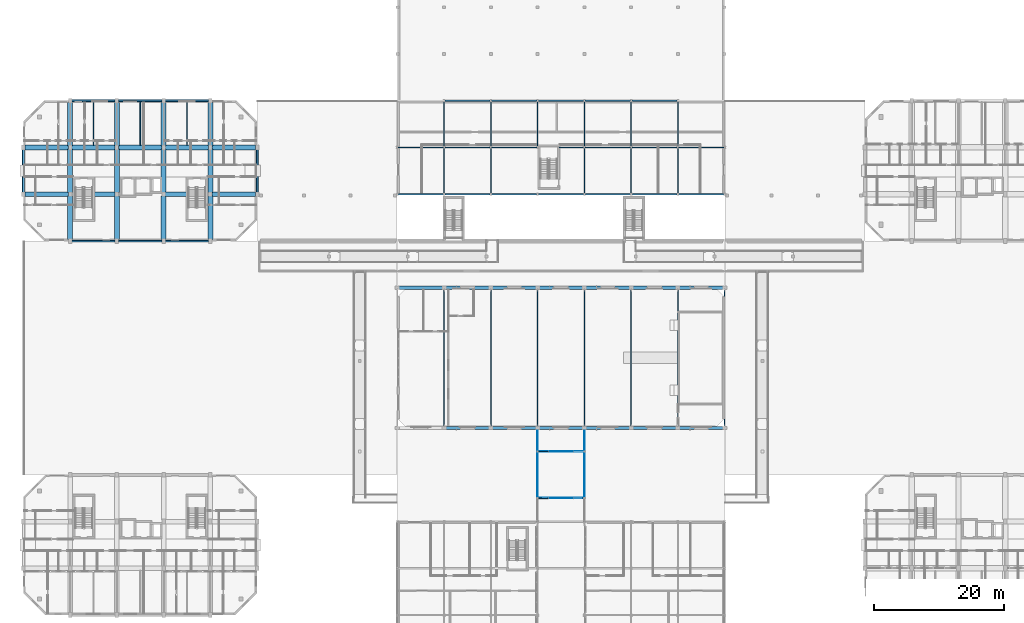
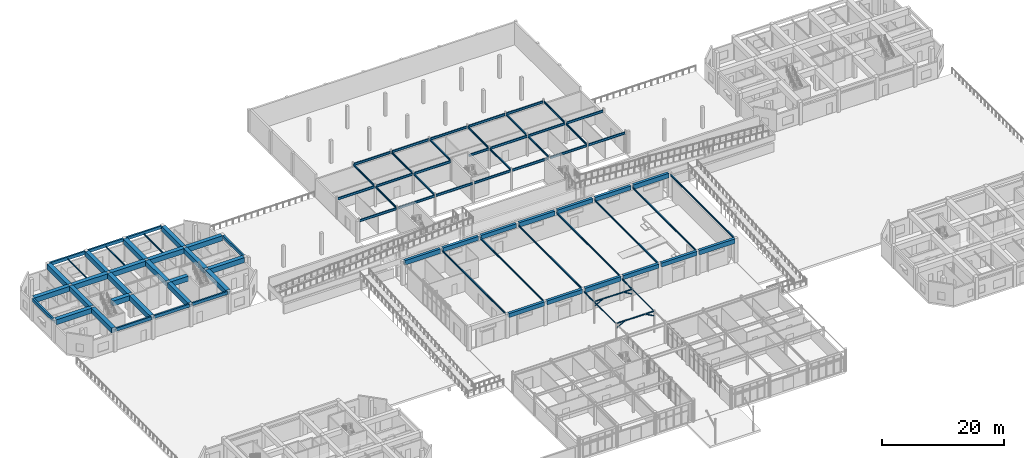
# One storey, part 31 of 85: 88 beams, 4 members.
"""IFC4 building model written with IfcOpenShell, lengths in metres."""

from ifc_helpers import new_model, si_unit, direction, frame, origin, origin_2d, place, context, subcontext, project, spatial, rectangle, hollow_rectangle, hollow_circle, i_section, u_section, extrude, material, material_profile, profile_set, type_object, element, save


model = new_model("IFC4")

# Units and contexts
model_context = context("Model", 3, precision=1e-05, world=origin(), true_north=direction((0.0, 1.0)))
body_context = subcontext(model_context, "Body", "Model", "MODEL_VIEW")
ifc_project = project(units=[si_unit("LENGTHUNIT", "METRE"), si_unit("AREAUNIT", "SQUARE_METRE"), si_unit("VOLUMEUNIT", "CUBIC_METRE"), si_unit("PLANEANGLEUNIT", "RADIAN"), si_unit("MASSUNIT", "GRAM", prefix="KILO")], contexts=[model_context])

# Site, building, storey
site_placement = place(None, origin())
site = spatial("IfcSite", under=ifc_project, at=site_placement, CompositionType="ELEMENT")
building_placement = place(site_placement, origin())
building = spatial("IfcBuilding", under=site, at=building_placement, Name="Ochrevale Crest", CompositionType="ELEMENT")
storey_placement = place(building_placement, origin())
storey = spatial("IfcBuildingStorey", under=building, at=storey_placement, Name="L00", CompositionType="ELEMENT", Elevation=0.0)

# Beams
ifc_material_1 = material(Name="Steel S355", Category="steel")
ifc_material_profile_1 = material_profile(ifc_material_1, u_section(Depth=0.14990234375, FlangeWidth=0.074951171875, WebThickness=0.006103515625, FlangeThickness=0.009521484375, FilletRadius=0.010009765625, at=origin_2d()), Name="150PFC")
ifc_profile_set_1 = profile_set([ifc_material_profile_1], Name="Steel S355")
beam_type_1 = type_object("IfcBeamType", Name="BM-PFC150", PredefinedType="LINTEL", material=ifc_profile_set_1)
for number, where, z_axis, x_axis, name in (
    (1, (79.280029296875, 32.39990234375, 4.260009765625), (1.0, 0.0, 0.0), (0.0, 1.0, 0.0), "Covered public passage cross channel"),
    (2, (79.280029296875, 39.60009765625, 4.260009765625), (1.0, 0.0, 0.0), (0.0, 1.0, 0.0), "Covered public passage cross channel"),
):
    element("IfcBeam", number, at=place(storey_placement, frame(where, z_axis=z_axis, x_axis=x_axis)), inside=storey, type_object=beam_type_1, Name=name, PredefinedType="LINTEL", context=body_context, shape_type="SweptSolid", body=[
        extrude(u_section(Depth=0.14990234375, FlangeWidth=0.074951171875, WebThickness=0.006103515625, FlangeThickness=0.009521484375, FilletRadius=0.010009765625, at=origin_2d()), origin(), (0.0, 0.0, 1.0), 7.0400390625),
    ])
ifc_material_profile_2 = material_profile(ifc_material_1, u_section(Depth=0.22998046875, FlangeWidth=0.074951171875, WebThickness=0.006591796875, FlangeThickness=0.011962890625, FilletRadius=0.011962890625, at=origin_2d()), Name="230PFC")
ifc_profile_set_2 = profile_set([ifc_material_profile_2], Name="Steel S355")
beam_type_2 = type_object("IfcBeamType", Name="BM-PFC230", PredefinedType="SPANDREL", material=ifc_profile_set_2)
beam_1_placement = place(storey_placement, frame((79.199951171875, 32.47998046875, 4.219970703125), z_axis=(0.0, 1.0, 0.0), x_axis=(-1.0, 0.0, 0.0)))
element("IfcBeam", 3, at=beam_1_placement, inside=storey, type_object=beam_type_2, Name="Covered public passage longitudinal channel", PredefinedType="SPANDREL", context=body_context, shape_type="SweptSolid", body=[
    extrude(u_section(Depth=0.22998046875, FlangeWidth=0.074951171875, WebThickness=0.006591796875, FlangeThickness=0.011962890625, FilletRadius=0.011962890625, at=origin_2d()), origin(), (0.0, 0.0, 1.0), 7.0400390625),
])
beam_2_placement = place(storey_placement, frame((79.199951171875, 39.679931640625, 4.219970703125), z_axis=(0.0, 1.0, 0.0), x_axis=(-1.0, 0.0, 0.0)))
element("IfcBeam", 4, at=beam_2_placement, inside=storey, type_object=beam_type_2, Name="Covered public passage longitudinal channel", PredefinedType="SPANDREL", context=body_context, shape_type="SweptSolid", body=[
    extrude(u_section(Depth=0.22998046875, FlangeWidth=0.074951171875, WebThickness=0.006591796875, FlangeThickness=0.011962890625, FilletRadius=0.011962890625, at=origin_2d()), origin(), (0.0, 0.0, 1.0), 3.440185546875),
])
beam_3_placement = place(storey_placement, frame((86.39990234375, 32.47998046875, 4.219970703125), z_axis=(0.0, 1.0, 0.0), x_axis=(-1.0, 0.0, 0.0)))
element("IfcBeam", 5, at=beam_3_placement, inside=storey, type_object=beam_type_2, Name="Covered public passage longitudinal channel", PredefinedType="SPANDREL", context=body_context, shape_type="SweptSolid", body=[
    extrude(u_section(Depth=0.22998046875, FlangeWidth=0.074951171875, WebThickness=0.006591796875, FlangeThickness=0.011962890625, FilletRadius=0.011962890625, at=origin_2d()), origin(), (0.0, 0.0, 1.0), 7.0400390625),
])
beam_4_placement = place(storey_placement, frame((86.39990234375, 39.679931640625, 4.219970703125), z_axis=(0.0, 1.0, 0.0), x_axis=(-1.0, 0.0, 0.0)))
element("IfcBeam", 6, at=beam_4_placement, inside=storey, type_object=beam_type_2, Name="Covered public passage longitudinal channel", PredefinedType="SPANDREL", context=body_context, shape_type="SweptSolid", body=[
    extrude(u_section(Depth=0.22998046875, FlangeWidth=0.074951171875, WebThickness=0.006591796875, FlangeThickness=0.011962890625, FilletRadius=0.011962890625, at=origin_2d()), origin(), (0.0, 0.0, 1.0), 3.440185546875),
])
ifc_material_2 = material(Name="Concrete C50/60", Category="concrete")
ifc_material_profile_3 = material_profile(ifc_material_2, rectangle(XDim=0.5, YDim=0.800048828125, at=origin_2d()), Name="RC 500x800")
ifc_profile_set_3 = profile_set([ifc_material_profile_3], Name="Concrete C50/60")
beam_type_3 = type_object("IfcBeamType", Name="BM-RB500x800", PredefinedType="BEAM", material=ifc_profile_set_3)
for number, where, z_axis, x_axis, name in (
    (7, (65.044921875, 43.199951171875, 4.39990234375), (1.0, 0.0, 0.0), (0.0, 1.0, 0.0), "Vault springing ring beam RB-2-S"),
    (8, (65.044921875, 64.800048828125, 4.39990234375), (1.0, 0.0, 0.0), (0.0, 1.0, 0.0), "Vault springing ring beam RB-2-N"),
    (9, (72.2451171875, 43.199951171875, 4.39990234375), (1.0, 0.0, 0.0), (0.0, 1.0, 0.0), "Vault springing ring beam RB-3-S"),
    (10, (72.2451171875, 64.800048828125, 4.39990234375), (1.0, 0.0, 0.0), (0.0, 1.0, 0.0), "Vault springing ring beam RB-3-N"),
    (11, (86.64501953125, 43.199951171875, 4.39990234375), (1.0, 0.0, 0.0), (0.0, 1.0, 0.0), "Vault springing ring beam RB-5-S"),
    (12, (86.64501953125, 64.800048828125, 4.39990234375), (1.0, 0.0, 0.0), (0.0, 1.0, 0.0), "Vault springing ring beam RB-5-N"),
    (13, (93.844970703125, 43.199951171875, 4.39990234375), (1.0, 0.0, 0.0), (0.0, 1.0, 0.0), "Vault springing ring beam RB-6-S"),
    (14, (93.844970703125, 64.800048828125, 4.39990234375), (1.0, 0.0, 0.0), (0.0, 1.0, 0.0), "Vault springing ring beam RB-6-N"),
):
    element("IfcBeam", number, at=place(storey_placement, frame(where, z_axis=z_axis, x_axis=x_axis)), inside=storey, type_object=beam_type_3, Name=name, PredefinedType="BEAM", context=body_context, shape_type="SweptSolid", body=[
        extrude(rectangle(XDim=0.5, YDim=0.800048828125, at=origin_2d()), origin(), (0.0, 0.0, 1.0), 6.7099609375),
    ])
ifc_material_profile_4 = material_profile(ifc_material_2, rectangle(XDim=0.5, YDim=0.89990234375, at=origin_2d()), Name="RC 500x900")
ifc_profile_set_4 = profile_set([ifc_material_profile_4], Name="Concrete C50/60")
beam_type_4 = type_object("IfcBeamType", Name="BM-RB500x900", PredefinedType="BEAM", material=ifc_profile_set_4)
for number, where, z_axis, x_axis, name in (
    (15, (57.844970703125, 64.800048828125, 4.35009765625), (1.0, 0.0, 0.0), (0.0, 1.0, 0.0), "Vault springing ring beam RB-1-N"),
    (16, (79.445068359375, 43.199951171875, 4.35009765625), (1.0, 0.0, 0.0), (0.0, 1.0, 0.0), "Vault springing ring beam RB-4-S"),
    (17, (79.445068359375, 64.800048828125, 4.35009765625), (1.0, 0.0, 0.0), (0.0, 1.0, 0.0), "Vault springing ring beam RB-4-N"),
    (18, (101.044921875, 43.199951171875, 4.35009765625), (1.0, 0.0, 0.0), (0.0, 1.0, 0.0), "Vault springing ring beam RB-7-S"),
    (19, (101.044921875, 64.800048828125, 4.35009765625), (1.0, 0.0, 0.0), (0.0, 1.0, 0.0), "Vault springing ring beam RB-7-N"),
):
    element("IfcBeam", number, at=place(storey_placement, frame(where, z_axis=z_axis, x_axis=x_axis)), inside=storey, type_object=beam_type_4, Name=name, PredefinedType="BEAM", context=body_context, shape_type="SweptSolid", body=[
        extrude(rectangle(XDim=0.5, YDim=0.89990234375, at=origin_2d()), origin(), (0.0, 0.0, 1.0), 6.7099609375),
    ])
ifc_material_3 = material(Name="Precast concrete C40/50", Category="concrete")
ifc_material_profile_5 = material_profile(ifc_material_3, rectangle(XDim=0.300048828125, YDim=0.580078125, at=origin_2d()), Name="PC 300x580")
ifc_profile_set_5 = profile_set([ifc_material_profile_5], Name="Precast concrete C40/50")
beam_type_5 = type_object("IfcBeamType", Name="BM-SP300x580", PredefinedType="SPANDREL", material=ifc_profile_set_5)
for number, where, z_axis, x_axis, name in (
    (20, (21.85009765625, 72.0, 4.2099609375), (1.0, 0.0, 0.0), (0.0, 1.0, 0.0), "Block B L00 E-W beam Y=72.0"),
    (21, (21.85009765625, 93.60009765625, 4.2099609375), (1.0, 0.0, 0.0), (0.0, 1.0, 0.0), "Block B L00 E-W beam Y=93.6"),
):
    element("IfcBeam", number, at=place(storey_placement, frame(where, z_axis=z_axis, x_axis=x_axis)), inside=storey, type_object=beam_type_5, Name=name, PredefinedType="SPANDREL", context=body_context, shape_type="SweptSolid", body=[
        extrude(rectangle(XDim=0.300048828125, YDim=0.580078125, at=origin_2d()), origin(), (0.0, 0.0, 1.0), 6.699951171875),
    ])
ifc_material_profile_6 = material_profile(ifc_material_3, rectangle(XDim=0.300048828125, YDim=0.60009765625, at=origin_2d()), Name="PC 300x600")
ifc_profile_set_6 = profile_set([ifc_material_profile_6], Name="Precast concrete C40/50")
beam_type_6 = type_object("IfcBeamType", Name="BM-SP300x600", PredefinedType="SPANDREL", material=ifc_profile_set_6)
for number, where, z_axis, x_axis, name in (
    (22, (14.64990234375, 72.0, 4.199951171875), (1.0, 0.0, 0.0), (0.0, 1.0, 0.0), "Block B L00 E-W beam Y=72.0"),
    (23, (14.64990234375, 93.60009765625, 4.199951171875), (1.0, 0.0, 0.0), (0.0, 1.0, 0.0), "Block B L00 E-W beam Y=93.6"),
):
    element("IfcBeam", number, at=place(storey_placement, frame(where, z_axis=z_axis, x_axis=x_axis)), inside=storey, type_object=beam_type_6, Name=name, PredefinedType="SPANDREL", context=body_context, shape_type="SweptSolid", body=[
        extrude(rectangle(XDim=0.300048828125, YDim=0.60009765625, at=origin_2d()), origin(), (0.0, 0.0, 1.0), 6.7001953125),
    ])
for number, where, z_axis, x_axis, name in (
    (24, (0.0, 79.455078125, 4.199951171875), (0.0, 1.0, 0.0), (-1.0, 0.0, 0.0), "Block B L00 N-S beam X=0.0"),
    (25, (36.0, 79.455078125, 4.199951171875), (0.0, 1.0, 0.0), (-1.0, 0.0, 0.0), "Block B L00 N-S beam X=36.0"),
):
    element("IfcBeam", number, at=place(storey_placement, frame(where, z_axis=z_axis, x_axis=x_axis)), inside=storey, type_object=beam_type_6, Name=name, PredefinedType="SPANDREL", context=body_context, shape_type="SweptSolid", body=[
        extrude(rectangle(XDim=0.300048828125, YDim=0.60009765625, at=origin_2d()), origin(), (0.0, 0.0, 1.0), 6.68994140625),
    ])
ifc_material_profile_7 = material_profile(ifc_material_3, rectangle(XDim=0.300048828125, YDim=0.64990234375, at=origin_2d()), Name="PC 300x650")
ifc_profile_set_7 = profile_set([ifc_material_profile_7], Name="Precast concrete C40/50")
beam_type_7 = type_object("IfcBeamType", Name="BM-SP300x650", PredefinedType="SPANDREL", material=ifc_profile_set_7)
for number, where, z_axis, x_axis, name in (
    (26, (7.449951171875, 72.0, 4.175048828125), (1.0, 0.0, 0.0), (0.0, 1.0, 0.0), "Block B L00 E-W beam Y=72.0"),
    (27, (7.449951171875, 93.60009765625, 4.175048828125), (1.0, 0.0, 0.0), (0.0, 1.0, 0.0), "Block B L00 E-W beam Y=93.6"),
):
    element("IfcBeam", number, at=place(storey_placement, frame(where, z_axis=z_axis, x_axis=x_axis)), inside=storey, type_object=beam_type_7, Name=name, PredefinedType="SPANDREL", context=body_context, shape_type="SweptSolid", body=[
        extrude(rectangle(XDim=0.300048828125, YDim=0.64990234375, at=origin_2d()), origin(), (0.0, 0.0, 1.0), 6.699951171875),
    ])
ifc_material_profile_8 = material_profile(ifc_material_2, rectangle(XDim=0.75, YDim=1.0, at=origin_2d()), Name="RC 750x1000")
ifc_profile_set_8 = profile_set([ifc_material_profile_8], Name="Concrete C50/60")
beam_type_8 = type_object("IfcBeamType", Name="BM-TG750x1000", PredefinedType="USERDEFINED", material=ifc_profile_set_8)
beam_5_placement = place(storey_placement, frame((0.25, 79.199951171875, 4.0), z_axis=(1.0, 0.0, 0.0), x_axis=(0.0, 1.0, 0.0)))
element("IfcBeam", 28, at=beam_5_placement, inside=storey, type_object=beam_type_8, Name="Block B L00 E-W beam Y=79.2", ObjectType="GIRDER", PredefinedType="USERDEFINED", context=body_context, shape_type="SweptSolid", body=[
    extrude(rectangle(XDim=0.75, YDim=1.0, at=origin_2d()), origin(), (0.0, 0.0, 1.0), 6.699951171875),
])
beam_6_placement = place(storey_placement, frame((10.889892578125, 79.199951171875, 4.0), z_axis=(1.0, 0.0, 0.0), x_axis=(0.0, 1.0, 0.0)))
element("IfcBeam", 29, at=beam_6_placement, inside=storey, type_object=beam_type_8, Name="Block B L00 E-W beam Y=79.2", ObjectType="GIRDER", PredefinedType="USERDEFINED", context=body_context, shape_type="SweptSolid", body=[
    extrude(rectangle(XDim=0.75, YDim=1.0, at=origin_2d()), origin(), (0.0, 0.0, 1.0), 3.260009765625),
])
beam_7_placement = place(storey_placement, frame((21.85009765625, 79.199951171875, 4.0), z_axis=(1.0, 0.0, 0.0), x_axis=(0.0, 1.0, 0.0)))
element("IfcBeam", 30, at=beam_7_placement, inside=storey, type_object=beam_type_8, Name="Block B L00 E-W beam Y=79.2", ObjectType="GIRDER", PredefinedType="USERDEFINED", context=body_context, shape_type="SweptSolid", body=[
    extrude(rectangle(XDim=0.75, YDim=1.0, at=origin_2d()), origin(), (0.0, 0.0, 1.0), 3.309814453125),
])
for number, where, z_axis, x_axis, name in (
    (31, (29.050048828125, 79.199951171875, 4.0), (1.0, 0.0, 0.0), (0.0, 1.0, 0.0), "Block B L00 E-W beam Y=79.2"),
    (32, (0.25, 86.39990234375, 4.0), (1.0, 0.0, 0.0), (0.0, 1.0, 0.0), "Block B L00 E-W beam Y=86.4"),
    (33, (7.449951171875, 86.39990234375, 4.0), (1.0, 0.0, 0.0), (0.0, 1.0, 0.0), "Block B L00 E-W beam Y=86.4"),
):
    element("IfcBeam", number, at=place(storey_placement, frame(where, z_axis=z_axis, x_axis=x_axis)), inside=storey, type_object=beam_type_8, Name=name, ObjectType="GIRDER", PredefinedType="USERDEFINED", context=body_context, shape_type="SweptSolid", body=[
        extrude(rectangle(XDim=0.75, YDim=1.0, at=origin_2d()), origin(), (0.0, 0.0, 1.0), 6.699951171875),
    ])
beam_8_placement = place(storey_placement, frame((14.64990234375, 86.39990234375, 4.0), z_axis=(1.0, 0.0, 0.0), x_axis=(0.0, 1.0, 0.0)))
element("IfcBeam", 34, at=beam_8_placement, inside=storey, type_object=beam_type_8, Name="Block B L00 E-W beam Y=86.4", ObjectType="GIRDER", PredefinedType="USERDEFINED", context=body_context, shape_type="SweptSolid", body=[
    extrude(rectangle(XDim=0.75, YDim=1.0, at=origin_2d()), origin(), (0.0, 0.0, 1.0), 6.7001953125),
])
for number, where, z_axis, x_axis, name in (
    (35, (21.85009765625, 86.39990234375, 4.0), (1.0, 0.0, 0.0), (0.0, 1.0, 0.0), "Block B L00 E-W beam Y=86.4"),
    (36, (29.050048828125, 86.39990234375, 4.0), (1.0, 0.0, 0.0), (0.0, 1.0, 0.0), "Block B L00 E-W beam Y=86.4"),
):
    element("IfcBeam", number, at=place(storey_placement, frame(where, z_axis=z_axis, x_axis=x_axis)), inside=storey, type_object=beam_type_8, Name=name, ObjectType="GIRDER", PredefinedType="USERDEFINED", context=body_context, shape_type="SweptSolid", body=[
        extrude(rectangle(XDim=0.75, YDim=1.0, at=origin_2d()), origin(), (0.0, 0.0, 1.0), 6.699951171875),
    ])
beam_9_placement = place(storey_placement, frame((7.199951171875, 72.2548828125, 4.0), z_axis=(0.0, 1.0, 0.0), x_axis=(-1.0, 0.0, 0.0)))
element("IfcBeam", 37, at=beam_9_placement, inside=storey, type_object=beam_type_8, Name="Block B L00 N-S beam X=7.2", ObjectType="GIRDER", PredefinedType="USERDEFINED", context=body_context, shape_type="SweptSolid", body=[
    extrude(rectangle(XDim=0.75, YDim=1.0, at=origin_2d()), origin(), (0.0, 0.0, 1.0), 6.690185546875),
])
for number, where, z_axis, x_axis, name in (
    (38, (7.199951171875, 79.455078125, 4.0), (0.0, 1.0, 0.0), (-1.0, 0.0, 0.0), "Block B L00 N-S beam X=7.2"),
    (39, (7.199951171875, 86.655029296875, 4.0), (0.0, 1.0, 0.0), (-1.0, 0.0, 0.0), "Block B L00 N-S beam X=7.2"),
):
    element("IfcBeam", number, at=place(storey_placement, frame(where, z_axis=z_axis, x_axis=x_axis)), inside=storey, type_object=beam_type_8, Name=name, ObjectType="GIRDER", PredefinedType="USERDEFINED", context=body_context, shape_type="SweptSolid", body=[
        extrude(rectangle(XDim=0.75, YDim=1.0, at=origin_2d()), origin(), (0.0, 0.0, 1.0), 6.68994140625),
    ])
beam_10_placement = place(storey_placement, frame((14.39990234375, 72.2548828125, 4.0), z_axis=(0.0, 1.0, 0.0), x_axis=(-1.0, 0.0, 0.0)))
element("IfcBeam", 40, at=beam_10_placement, inside=storey, type_object=beam_type_8, Name="Block B L00 N-S beam X=14.4", ObjectType="GIRDER", PredefinedType="USERDEFINED", context=body_context, shape_type="SweptSolid", body=[
    extrude(rectangle(XDim=0.75, YDim=1.0, at=origin_2d()), origin(), (0.0, 0.0, 1.0), 6.690185546875),
])
for number, where, z_axis, x_axis, name in (
    (41, (14.39990234375, 79.455078125, 4.0), (0.0, 1.0, 0.0), (-1.0, 0.0, 0.0), "Block B L00 N-S beam X=14.4"),
    (42, (14.39990234375, 86.655029296875, 4.0), (0.0, 1.0, 0.0), (-1.0, 0.0, 0.0), "Block B L00 N-S beam X=14.4"),
):
    element("IfcBeam", number, at=place(storey_placement, frame(where, z_axis=z_axis, x_axis=x_axis)), inside=storey, type_object=beam_type_8, Name=name, ObjectType="GIRDER", PredefinedType="USERDEFINED", context=body_context, shape_type="SweptSolid", body=[
        extrude(rectangle(XDim=0.75, YDim=1.0, at=origin_2d()), origin(), (0.0, 0.0, 1.0), 6.68994140625),
    ])
beam_11_placement = place(storey_placement, frame((21.60009765625, 72.2548828125, 4.0), z_axis=(0.0, 1.0, 0.0), x_axis=(-1.0, 0.0, 0.0)))
element("IfcBeam", 43, at=beam_11_placement, inside=storey, type_object=beam_type_8, Name="Block B L00 N-S beam X=21.6", ObjectType="GIRDER", PredefinedType="USERDEFINED", context=body_context, shape_type="SweptSolid", body=[
    extrude(rectangle(XDim=0.75, YDim=1.0, at=origin_2d()), origin(), (0.0, 0.0, 1.0), 6.690185546875),
])
for number, where, z_axis, x_axis, name in (
    (44, (21.60009765625, 79.455078125, 4.0), (0.0, 1.0, 0.0), (-1.0, 0.0, 0.0), "Block B L00 N-S beam X=21.6"),
    (45, (21.60009765625, 86.655029296875, 4.0), (0.0, 1.0, 0.0), (-1.0, 0.0, 0.0), "Block B L00 N-S beam X=21.6"),
):
    element("IfcBeam", number, at=place(storey_placement, frame(where, z_axis=z_axis, x_axis=x_axis)), inside=storey, type_object=beam_type_8, Name=name, ObjectType="GIRDER", PredefinedType="USERDEFINED", context=body_context, shape_type="SweptSolid", body=[
        extrude(rectangle(XDim=0.75, YDim=1.0, at=origin_2d()), origin(), (0.0, 0.0, 1.0), 6.68994140625),
    ])
beam_12_placement = place(storey_placement, frame((28.800048828125, 72.2548828125, 4.0), z_axis=(0.0, 1.0, 0.0), x_axis=(-1.0, 0.0, 0.0)))
element("IfcBeam", 46, at=beam_12_placement, inside=storey, type_object=beam_type_8, Name="Block B L00 N-S beam X=28.8", ObjectType="GIRDER", PredefinedType="USERDEFINED", context=body_context, shape_type="SweptSolid", body=[
    extrude(rectangle(XDim=0.75, YDim=1.0, at=origin_2d()), origin(), (0.0, 0.0, 1.0), 6.690185546875),
])
for number, where, z_axis, x_axis, name in (
    (47, (28.800048828125, 79.455078125, 4.0), (0.0, 1.0, 0.0), (-1.0, 0.0, 0.0), "Block B L00 N-S beam X=28.8"),
    (48, (28.800048828125, 86.655029296875, 4.0), (0.0, 1.0, 0.0), (-1.0, 0.0, 0.0), "Block B L00 N-S beam X=28.8"),
):
    element("IfcBeam", number, at=place(storey_placement, frame(where, z_axis=z_axis, x_axis=x_axis)), inside=storey, type_object=beam_type_8, Name=name, ObjectType="GIRDER", PredefinedType="USERDEFINED", context=body_context, shape_type="SweptSolid", body=[
        extrude(rectangle(XDim=0.75, YDim=1.0, at=origin_2d()), origin(), (0.0, 0.0, 1.0), 6.68994140625),
    ])
ifc_material_profile_9 = material_profile(ifc_material_1, i_section(OverallWidth=0.134033203125, OverallDepth=0.20703125, WebThickness=0.00634765625, FlangeThickness=0.009521484375, FilletRadius=0.0087890625, at=origin_2d()), Name="200UB29.8")
ifc_profile_set_9 = profile_set([ifc_material_profile_9], Name="Steel S355")
beam_type_9 = type_object("IfcBeamType", Name="BM-UB200B", PredefinedType="JOIST", material=ifc_profile_set_9)
beam_13_placement = place(storey_placement, frame((10.800048828125, 86.762939453125, 4.071533203125), z_axis=(0.0, 1.0, 0.0), x_axis=(-1.0, 0.0, 0.0)))
element("IfcBeam", 49, at=beam_13_placement, inside=storey, type_object=beam_type_9, Name="Block B L00 composite plank trimmer beam 2", PredefinedType="JOIST", context=body_context, shape_type="SweptSolid", body=[
    extrude(i_section(OverallWidth=0.134033203125, OverallDepth=0.20703125, WebThickness=0.00634765625, FlangeThickness=0.009521484375, FilletRadius=0.0087890625, at=origin_2d()), origin(), (0.0, 0.0, 1.0), 6.698974609375),
])
ifc_material_profile_10 = material_profile(ifc_material_1, i_section(OverallWidth=0.14599609375, OverallDepth=0.251708984375, WebThickness=0.006103515625, FlangeThickness=0.008544921875, FilletRadius=0.0087890625, at=origin_2d()), Name="250UB31.4")
ifc_profile_set_10 = profile_set([ifc_material_profile_10], Name="Steel S355")
beam_type_10 = type_object("IfcBeamType", Name="BM-UB250A", PredefinedType="JOIST", material=ifc_profile_set_10)
beam_14_placement = place(storey_placement, frame((18.0, 86.762939453125, 4.04931640625), z_axis=(0.0, 1.0, 0.0), x_axis=(-1.0, 0.0, 0.0)))
element("IfcBeam", 50, at=beam_14_placement, inside=storey, type_object=beam_type_10, Name="Block B L00 composite plank trimmer beam 3", PredefinedType="JOIST", context=body_context, shape_type="SweptSolid", body=[
    extrude(i_section(OverallWidth=0.14599609375, OverallDepth=0.251708984375, WebThickness=0.006103515625, FlangeThickness=0.008544921875, FilletRadius=0.0087890625, at=origin_2d()), origin(), (0.0, 0.0, 1.0), 6.698974609375),
])
ifc_material_profile_11 = material_profile(ifc_material_1, i_section(OverallWidth=0.146484375, OverallDepth=0.256103515625, WebThickness=0.00634765625, FlangeThickness=0.010986328125, FilletRadius=0.0087890625, at=origin_2d()), Name="250UB37.3")
ifc_profile_set_11 = profile_set([ifc_material_profile_11], Name="Steel S355")
beam_type_11 = type_object("IfcBeamType", Name="BM-UB250B", PredefinedType="JOIST", material=ifc_profile_set_11)
beam_15_placement = place(storey_placement, frame((25.199951171875, 86.762939453125, 4.046875), z_axis=(0.0, 1.0, 0.0), x_axis=(-1.0, 0.0, 0.0)))
element("IfcBeam", 51, at=beam_15_placement, inside=storey, type_object=beam_type_11, Name="Block B L00 composite plank trimmer beam 4", PredefinedType="JOIST", context=body_context, shape_type="SweptSolid", body=[
    extrude(i_section(OverallWidth=0.146484375, OverallDepth=0.256103515625, WebThickness=0.00634765625, FlangeThickness=0.010986328125, FilletRadius=0.0087890625, at=origin_2d()), origin(), (0.0, 0.0, 1.0), 6.698974609375),
])
ifc_material_profile_12 = material_profile(ifc_material_1, i_section(OverallWidth=0.166015625, OverallDepth=0.30712890625, WebThickness=0.006591796875, FlangeThickness=0.01171875, FilletRadius=0.011474609375, at=origin_2d()), Name="310UB46.2")
ifc_profile_set_12 = profile_set([ifc_material_profile_12], Name="Steel S355")
beam_type_12 = type_object("IfcBeamType", Name="BM-UB310B", PredefinedType="BEAM", material=ifc_profile_set_12)
for number, where, z_axis, x_axis, name in (
    (52, (64.800048828125, 43.5400390625, 4.449951171875), (0.0, 1.0, 0.0), (-1.0, 0.0, 0.0), "Community Hall vault steel tie beam TB-02"),
    (53, (72.0, 43.5400390625, 4.449951171875), (0.0, 1.0, 0.0), (-1.0, 0.0, 0.0), "Community Hall vault steel tie beam TB-03"),
    (54, (79.199951171875, 43.5400390625, 4.449951171875), (0.0, 1.0, 0.0), (-1.0, 0.0, 0.0), "Community Hall vault steel tie beam TB-04"),
    (55, (86.39990234375, 43.5400390625, 4.449951171875), (0.0, 1.0, 0.0), (-1.0, 0.0, 0.0), "Community Hall vault steel tie beam TB-05"),
    (56, (93.60009765625, 43.5400390625, 4.449951171875), (0.0, 1.0, 0.0), (-1.0, 0.0, 0.0), "Community Hall vault steel tie beam TB-06"),
    (57, (100.800048828125, 43.5400390625, 4.449951171875), (0.0, 1.0, 0.0), (-1.0, 0.0, 0.0), "Community Hall vault steel tie beam TB-07"),
    (58, (108.0, 43.5400390625, 4.449951171875), (0.0, 1.0, 0.0), (-1.0, 0.0, 0.0), "Community Hall vault steel tie beam TB-08"),
):
    element("IfcBeam", number, at=place(storey_placement, frame(where, z_axis=z_axis, x_axis=x_axis)), inside=storey, type_object=beam_type_12, Name=name, PredefinedType="BEAM", context=body_context, shape_type="SweptSolid", body=[
        extrude(i_section(OverallWidth=0.166015625, OverallDepth=0.30712890625, WebThickness=0.006591796875, FlangeThickness=0.01171875, FilletRadius=0.011474609375, at=origin_2d()), origin(), (0.0, 0.0, 1.0), 20.919921875),
    ])
ifc_material_profile_13 = material_profile(ifc_material_1, i_section(OverallWidth=0.17138671875, OverallDepth=0.355712890625, WebThickness=0.00732421875, FlangeThickness=0.011474609375, FilletRadius=0.011474609375, at=origin_2d()), Name="360UB50.7")
ifc_profile_set_13 = profile_set([ifc_material_profile_13], Name="Steel S355")
beam_type_13 = type_object("IfcBeamType", Name="BM-UB360A", PredefinedType="BEAM", material=ifc_profile_set_13)
for number, where, z_axis, x_axis, name in (
    (59, (64.800048828125, 79.320068359375, 3.997314453125), (0.0, 1.0, 0.0), (-1.0, 0.0, 0.0), "Nursery L00 transverse steel beam X=64.8"),
    (60, (64.800048828125, 86.52001953125, 3.997314453125), (0.0, 1.0, 0.0), (-1.0, 0.0, 0.0), "Nursery L00 transverse steel beam X=64.8"),
    (61, (72.0, 79.320068359375, 3.997314453125), (0.0, 1.0, 0.0), (-1.0, 0.0, 0.0), "Nursery L00 transverse steel beam X=72.0"),
    (62, (72.0, 86.52001953125, 3.997314453125), (0.0, 1.0, 0.0), (-1.0, 0.0, 0.0), "Nursery L00 transverse steel beam X=72.0"),
    (63, (79.199951171875, 86.52001953125, 3.997314453125), (0.0, 1.0, 0.0), (-1.0, 0.0, 0.0), "Nursery L00 transverse steel beam X=79.2"),
    (64, (86.39990234375, 79.320068359375, 3.997314453125), (0.0, 1.0, 0.0), (-1.0, 0.0, 0.0), "Nursery L00 transverse steel beam X=86.4"),
    (65, (86.39990234375, 86.52001953125, 3.997314453125), (0.0, 1.0, 0.0), (-1.0, 0.0, 0.0), "Nursery L00 transverse steel beam X=86.4"),
    (66, (93.60009765625, 79.320068359375, 3.997314453125), (0.0, 1.0, 0.0), (-1.0, 0.0, 0.0), "Nursery L00 transverse steel beam X=93.6"),
    (67, (93.60009765625, 86.52001953125, 3.997314453125), (0.0, 1.0, 0.0), (-1.0, 0.0, 0.0), "Nursery L00 transverse steel beam X=93.6"),
    (68, (100.800048828125, 79.320068359375, 3.997314453125), (0.0, 1.0, 0.0), (-1.0, 0.0, 0.0), "Nursery L00 transverse steel beam X=100.8"),
    (69, (100.800048828125, 86.52001953125, 3.997314453125), (0.0, 1.0, 0.0), (-1.0, 0.0, 0.0), "Nursery L00 transverse steel beam X=100.8"),
):
    element("IfcBeam", number, at=place(storey_placement, frame(where, z_axis=z_axis, x_axis=x_axis)), inside=storey, type_object=beam_type_13, Name=name, PredefinedType="BEAM", context=body_context, shape_type="SweptSolid", body=[
        extrude(i_section(OverallWidth=0.17138671875, OverallDepth=0.355712890625, WebThickness=0.00732421875, FlangeThickness=0.011474609375, FilletRadius=0.011474609375, at=origin_2d()), origin(), (0.0, 0.0, 1.0), 6.9599609375),
    ])
ifc_material_profile_14 = material_profile(ifc_material_1, i_section(OverallWidth=0.18994140625, OverallDepth=0.453857421875, WebThickness=0.008544921875, FlangeThickness=0.0126953125, FilletRadius=0.011474609375, at=origin_2d()), Name="460UB67.1")
ifc_profile_set_14 = profile_set([ifc_material_profile_14], Name="Steel S355")
beam_type_14 = type_object("IfcBeamType", Name="BM-UB460", PredefinedType="USERDEFINED", material=ifc_profile_set_14)
for number, where, z_axis, x_axis, name in (
    (70, (57.719970703125, 79.199951171875, 3.947998046875), (1.0, 0.0, 0.0), (0.0, 1.0, 0.0), "Nursery L00 steel girder Y=79.2"),
    (71, (64.919921875, 79.199951171875, 3.947998046875), (1.0, 0.0, 0.0), (0.0, 1.0, 0.0), "Nursery L00 steel girder Y=79.2"),
    (72, (72.1201171875, 79.199951171875, 3.947998046875), (1.0, 0.0, 0.0), (0.0, 1.0, 0.0), "Nursery L00 steel girder Y=79.2"),
    (73, (79.320068359375, 79.199951171875, 3.947998046875), (1.0, 0.0, 0.0), (0.0, 1.0, 0.0), "Nursery L00 steel girder Y=79.2"),
    (74, (86.52001953125, 79.199951171875, 3.947998046875), (1.0, 0.0, 0.0), (0.0, 1.0, 0.0), "Nursery L00 steel girder Y=79.2"),
    (75, (93.719970703125, 79.199951171875, 3.947998046875), (1.0, 0.0, 0.0), (0.0, 1.0, 0.0), "Nursery L00 steel girder Y=79.2"),
    (76, (100.919921875, 79.199951171875, 3.947998046875), (1.0, 0.0, 0.0), (0.0, 1.0, 0.0), "Nursery L00 steel girder Y=79.2"),
    (77, (57.719970703125, 86.39990234375, 3.947998046875), (1.0, 0.0, 0.0), (0.0, 1.0, 0.0), "Nursery L00 steel girder Y=86.4"),
    (78, (64.919921875, 86.39990234375, 3.947998046875), (1.0, 0.0, 0.0), (0.0, 1.0, 0.0), "Nursery L00 steel girder Y=86.4"),
    (79, (72.1201171875, 86.39990234375, 3.947998046875), (1.0, 0.0, 0.0), (0.0, 1.0, 0.0), "Nursery L00 steel girder Y=86.4"),
):
    element("IfcBeam", number, at=place(storey_placement, frame(where, z_axis=z_axis, x_axis=x_axis)), inside=storey, type_object=beam_type_14, Name=name, ObjectType="GIRDER", PredefinedType="USERDEFINED", context=body_context, shape_type="SweptSolid", body=[
        extrude(i_section(OverallWidth=0.18994140625, OverallDepth=0.453857421875, WebThickness=0.008544921875, FlangeThickness=0.0126953125, FilletRadius=0.011474609375, at=origin_2d()), origin(), (0.0, 0.0, 1.0), 6.9599609375),
    ])
beam_16_placement = place(storey_placement, frame((82.489990234375, 86.39990234375, 3.947998046875), z_axis=(1.0, 0.0, 0.0), x_axis=(0.0, 1.0, 0.0)))
element("IfcBeam", 80, at=beam_16_placement, inside=storey, type_object=beam_type_14, Name="Nursery L00 steel girder Y=86.4", ObjectType="GIRDER", PredefinedType="USERDEFINED", context=body_context, shape_type="SweptSolid", body=[
    extrude(i_section(OverallWidth=0.18994140625, OverallDepth=0.453857421875, WebThickness=0.008544921875, FlangeThickness=0.0126953125, FilletRadius=0.011474609375, at=origin_2d()), origin(), (0.0, 0.0, 1.0), 3.7900390625),
])
for number, where, z_axis, x_axis, name in (
    (81, (86.52001953125, 86.39990234375, 3.947998046875), (1.0, 0.0, 0.0), (0.0, 1.0, 0.0), "Nursery L00 steel girder Y=86.4"),
    (82, (93.719970703125, 86.39990234375, 3.947998046875), (1.0, 0.0, 0.0), (0.0, 1.0, 0.0), "Nursery L00 steel girder Y=86.4"),
    (83, (100.919921875, 86.39990234375, 3.947998046875), (1.0, 0.0, 0.0), (0.0, 1.0, 0.0), "Nursery L00 steel girder Y=86.4"),
    (84, (64.919921875, 93.60009765625, 3.947998046875), (1.0, 0.0, 0.0), (0.0, 1.0, 0.0), "Nursery L00 steel girder Y=93.6"),
    (85, (72.1201171875, 93.60009765625, 3.947998046875), (1.0, 0.0, 0.0), (0.0, 1.0, 0.0), "Nursery L00 steel girder Y=93.6"),
    (86, (79.320068359375, 93.60009765625, 3.947998046875), (1.0, 0.0, 0.0), (0.0, 1.0, 0.0), "Nursery L00 steel girder Y=93.6"),
    (87, (86.52001953125, 93.60009765625, 3.947998046875), (1.0, 0.0, 0.0), (0.0, 1.0, 0.0), "Nursery L00 steel girder Y=93.6"),
    (88, (93.719970703125, 93.60009765625, 3.947998046875), (1.0, 0.0, 0.0), (0.0, 1.0, 0.0), "Nursery L00 steel girder Y=93.6"),
):
    element("IfcBeam", number, at=place(storey_placement, frame(where, z_axis=z_axis, x_axis=x_axis)), inside=storey, type_object=beam_type_14, Name=name, ObjectType="GIRDER", PredefinedType="USERDEFINED", context=body_context, shape_type="SweptSolid", body=[
        extrude(i_section(OverallWidth=0.18994140625, OverallDepth=0.453857421875, WebThickness=0.008544921875, FlangeThickness=0.0126953125, FilletRadius=0.011474609375, at=origin_2d()), origin(), (0.0, 0.0, 1.0), 6.9599609375),
    ])

# Members
ifc_material_profile_15 = material_profile(ifc_material_1, hollow_circle(Radius=0.05712890625, WallThickness=0.006103515625, at=origin_2d()), Name="114.3x6.0CHS")
ifc_profile_set_15 = profile_set([ifc_material_profile_15], Name="Steel S355")
member_type_1 = type_object("IfcMemberType", Name="MEM-CHS114-ST", PredefinedType="STRUT", material=ifc_profile_set_15)
for number, where, z_axis, x_axis, name in (
    (89, (79.300048828125, 32.39990234375, 3.35009765625), (0.872062978559, 0.0, 0.48939366713), (0.0, 1.0, 0.0), "Public passage arch strut W"),
    (90, (79.300048828125, 39.60009765625, 3.35009765625), (0.872062978559, 0.0, 0.48939366713), (0.0, 1.0, 0.0), "Public passage arch strut W"),
):
    element("IfcMember", number, at=place(storey_placement, frame(where, z_axis=z_axis, x_axis=x_axis)), inside=storey, type_object=member_type_1, Name=name, PredefinedType="STRUT", context=body_context, shape_type="SweptSolid", body=[
        extrude(hollow_circle(Radius=0.05712890625, WallThickness=0.006103515625, at=origin_2d()), origin(), (0.0, 0.0, 1.0), 1.77734375),
    ])
ifc_material_profile_16 = material_profile(ifc_material_1, hollow_rectangle(XDim=0.10009765625, YDim=0.10009765625, WallThickness=0.006103515625, InnerFilletRadius=0.006103515625, OuterFilletRadius=0.011962890625, at=origin_2d()), Name="100x100x6.0SHS")
ifc_profile_set_16 = profile_set([ifc_material_profile_16], Name="Steel S355")
member_type_2 = type_object("IfcMemberType", Name="MEM-SHS100-ST", PredefinedType="STRUT", material=ifc_profile_set_16)
for number, where, z_axis, x_axis, name in (
    (91, (86.300048828125, 32.39990234375, 3.35009765625), (-0.872062978559, 0.0, 0.48939366713), (0.0, -1.0, 0.0), "Public passage arch strut E"),
    (92, (86.300048828125, 39.60009765625, 3.35009765625), (-0.872062978559, 0.0, 0.48939366713), (0.0, -1.0, 0.0), "Public passage arch strut E"),
):
    element("IfcMember", number, at=place(storey_placement, frame(where, z_axis=z_axis, x_axis=x_axis)), inside=storey, type_object=member_type_2, Name=name, PredefinedType="STRUT", context=body_context, shape_type="SweptSolid", body=[
        extrude(hollow_rectangle(XDim=0.10009765625, YDim=0.10009765625, WallThickness=0.006103515625, InnerFilletRadius=0.006103515625, OuterFilletRadius=0.011962890625, at=origin_2d()), origin(), (0.0, 0.0, 1.0), 1.77734375),
    ])

save(model, "model.ifc")
